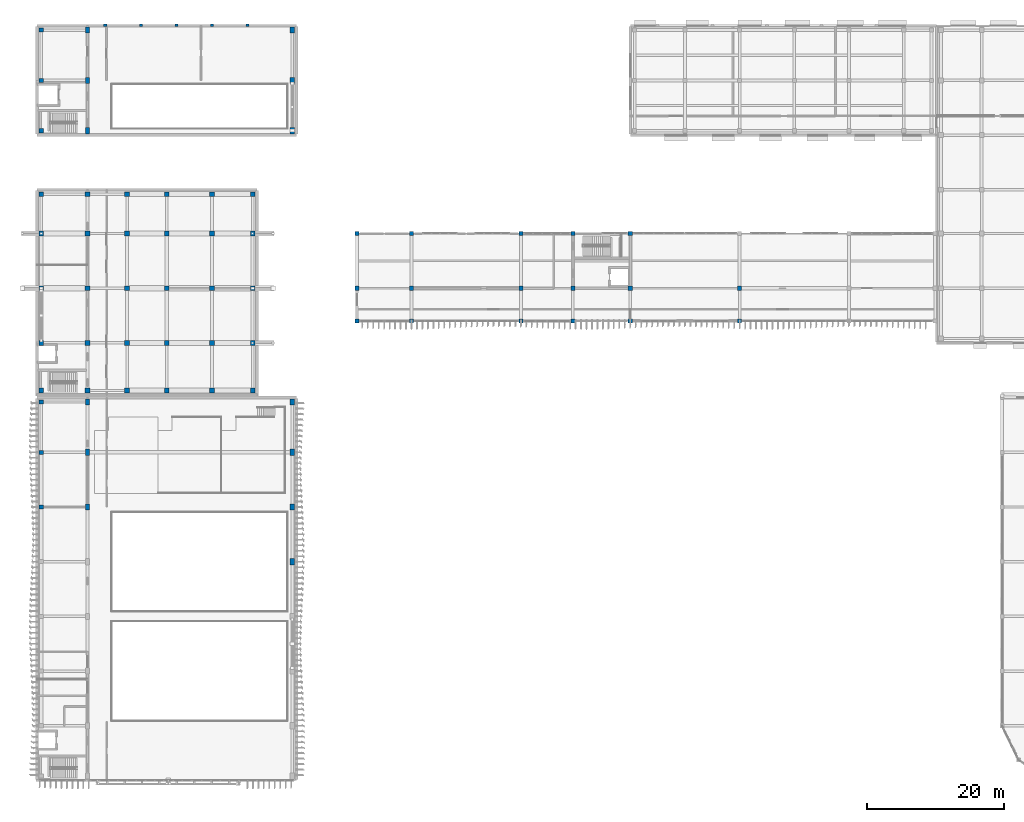
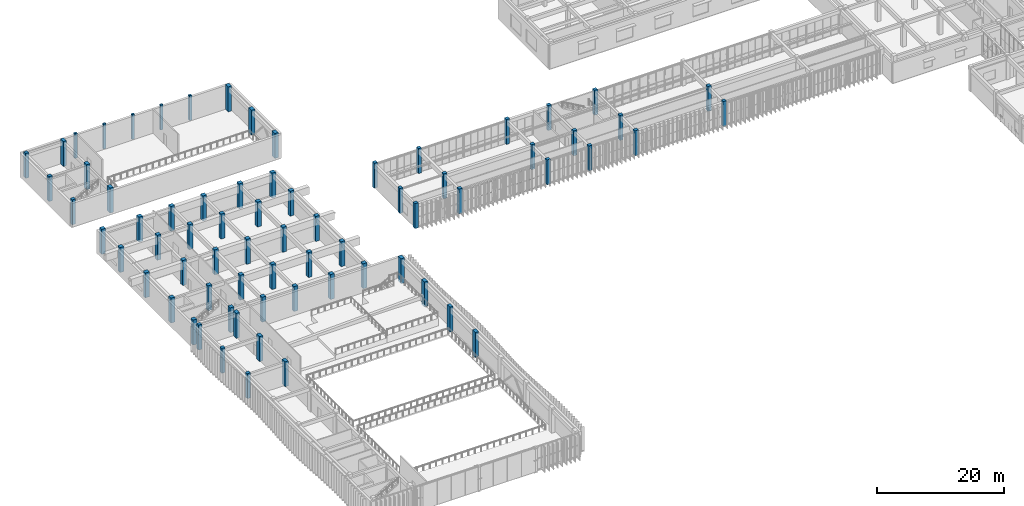
# One storey, part 2 of 64: 71 columns.
"""IFC4 building model written with IfcOpenShell, lengths in metres."""

from ifc_helpers import new_model, si_unit, direction, frame, origin, origin_2d, place, context, subcontext, project, spatial, rectangle, extrude, material, material_profile, profile_set, type_object, element, save


model = new_model("IFC4")

# Units and contexts
model_context = context("Model", 3, precision=1e-05, world=origin(), true_north=direction((0.0, 1.0)))
body_context = subcontext(model_context, "Body", "Model", "MODEL_VIEW")
ifc_project = project(units=[si_unit("LENGTHUNIT", "METRE"), si_unit("AREAUNIT", "SQUARE_METRE"), si_unit("VOLUMEUNIT", "CUBIC_METRE"), si_unit("PLANEANGLEUNIT", "RADIAN"), si_unit("MASSUNIT", "GRAM", prefix="KILO")], contexts=[model_context])

# Site, building, storey
site_placement = place(None, origin())
site = spatial("IfcSite", under=ifc_project, at=site_placement, CompositionType="ELEMENT")
building_placement = place(site_placement, origin())
building = spatial("IfcBuilding", under=site, at=building_placement, Name="Cinchona Park Media Centre", CompositionType="ELEMENT")
storey_placement = place(building_placement, frame((0.0, 0.0, 5.39990234375)))
storey = spatial("IfcBuildingStorey", under=building, at=storey_placement, Name="L01", CompositionType="ELEMENT", Elevation=5.39990234375)

# Columns
ifc_material_1 = material(Name="Concrete C40/50", Category="concrete")
ifc_material_profile_1 = material_profile(ifc_material_1, rectangle(XDim=0.699951171875, YDim=0.699951171875, at=origin_2d()), Name="RC 700X700")
ifc_profile_set_1 = profile_set([ifc_material_profile_1], Name="Concrete C40/50")
column_type_1 = type_object("IfcColumnType", Name="COL-C02-RC700X700", PredefinedType="COLUMN", material=ifc_profile_set_1)
for number, where, z_axis, x_axis, name in (
    (1, (8.639892578125, 64.639892578125, 0.0), (0.0, 0.0, 1.0), (1.0, 0.0, 0.0), "Column C02 L01"),
    (2, (8.639892578125, 71.60009765625, 0.0), (0.0, 0.0, 1.0), (1.0, 0.0, 0.0), "Column C02 L01"),
    (3, (8.639892578125, 79.60009765625, 0.0), (0.0, 0.0, 1.0), (1.0, 0.0, 0.0), "Column C02 L01"),
    (4, (8.639892578125, 87.60009765625, 0.0), (0.0, 0.0, 1.0), (1.0, 0.0, 0.0), "Column C02 L01"),
    (5, (8.639892578125, 93.360107421875, 0.0), (0.0, 0.0, 1.0), (1.0, 0.0, 0.0), "Column C02 L01"),
    (6, (15.39990234375, 64.639892578125, 0.0), (0.0, 0.0, 1.0), (1.0, 0.0, 0.0), "Column C02 L01"),
    (7, (15.39990234375, 71.60009765625, 0.0), (0.0, 0.0, 1.0), (1.0, 0.0, 0.0), "Column C02 L01"),
    (8, (15.39990234375, 79.60009765625, 0.0), (0.0, 0.0, 1.0), (1.0, 0.0, 0.0), "Column C02 L01"),
    (9, (15.39990234375, 87.60009765625, 0.0), (0.0, 0.0, 1.0), (1.0, 0.0, 0.0), "Column C02 L01"),
    (10, (15.39990234375, 93.360107421875, 0.0), (0.0, 0.0, 1.0), (1.0, 0.0, 0.0), "Column C02 L01"),
    (11, (21.199951171875, 64.639892578125, 0.0), (0.0, 0.0, 1.0), (1.0, 0.0, 0.0), "Column C02 L01"),
    (12, (21.199951171875, 71.60009765625, 0.0), (0.0, 0.0, 1.0), (1.0, 0.0, 0.0), "Column C02 L01"),
    (13, (21.199951171875, 79.60009765625, 0.0), (0.0, 0.0, 1.0), (1.0, 0.0, 0.0), "Column C02 L01"),
    (14, (21.199951171875, 87.60009765625, 0.0), (0.0, 0.0, 1.0), (1.0, 0.0, 0.0), "Column C02 L01"),
    (15, (21.199951171875, 93.360107421875, 0.0), (0.0, 0.0, 1.0), (1.0, 0.0, 0.0), "Column C02 L01"),
    (16, (27.0, 64.639892578125, 0.0), (0.0, 0.0, 1.0), (1.0, 0.0, 0.0), "Column C02 L01"),
    (17, (27.0, 71.60009765625, 0.0), (0.0, 0.0, 1.0), (1.0, 0.0, 0.0), "Column C02 L01"),
    (18, (27.0, 79.60009765625, 0.0), (0.0, 0.0, 1.0), (1.0, 0.0, 0.0), "Column C02 L01"),
    (19, (27.0, 87.60009765625, 0.0), (0.0, 0.0, 1.0), (1.0, 0.0, 0.0), "Column C02 L01"),
    (20, (27.0, 93.360107421875, 0.0), (0.0, 0.0, 1.0), (1.0, 0.0, 0.0), "Column C02 L01"),
    (21, (33.60009765625, 64.639892578125, 0.0), (0.0, 0.0, 1.0), (1.0, 0.0, 0.0), "Column C02 L01"),
    (22, (33.60009765625, 71.60009765625, 0.0), (0.0, 0.0, 1.0), (1.0, 0.0, 0.0), "Column C02 L01"),
    (23, (33.60009765625, 79.60009765625, 0.0), (0.0, 0.0, 1.0), (1.0, 0.0, 0.0), "Column C02 L01"),
    (24, (33.60009765625, 87.60009765625, 0.0), (0.0, 0.0, 1.0), (1.0, 0.0, 0.0), "Column C02 L01"),
    (25, (33.60009765625, 93.360107421875, 0.0), (0.0, 0.0, 1.0), (1.0, 0.0, 0.0), "Column C02 L01"),
    (26, (39.56005859375, 64.639892578125, 0.0), (0.0, 0.0, 1.0), (1.0, 0.0, 0.0), "Column C02 L01"),
    (27, (39.56005859375, 71.60009765625, 0.0), (0.0, 0.0, 1.0), (1.0, 0.0, 0.0), "Column C02 L01"),
    (28, (39.56005859375, 79.60009765625, 0.0), (0.0, 0.0, 1.0), (1.0, 0.0, 0.0), "Column C02 L01"),
    (29, (39.56005859375, 87.60009765625, 0.0), (0.0, 0.0, 1.0), (1.0, 0.0, 0.0), "Column C02 L01"),
    (30, (39.56005859375, 93.360107421875, 0.0), (0.0, 0.0, 1.0), (1.0, 0.0, 0.0), "Column C02 L01"),
):
    element("IfcColumn", number, at=place(storey_placement, frame(where, z_axis=z_axis, x_axis=x_axis)), inside=storey, type_object=column_type_1, Name=name, PredefinedType="COLUMN", context=body_context, shape_type="SweptSolid", body=[
        extrude(rectangle(XDim=0.699951171875, YDim=0.699951171875, at=origin_2d()), origin(), (0.0, 0.0, 1.0), 4.800048828125),
    ])
ifc_material_2 = material(Name="Concrete C40/50", Category="concrete")
ifc_material_profile_2 = material_profile(ifc_material_2, rectangle(XDim=0.60009765625, YDim=0.60009765625, at=origin_2d()), Name="RC 600X600")
ifc_profile_set_2 = profile_set([ifc_material_profile_2], Name="Concrete C40/50")
column_type_2 = type_object("IfcColumnType", Name="COL-C03-RC600X600", PredefinedType="COLUMN", material=ifc_profile_set_2)
for number, where, z_axis, x_axis, name in (
    (31, (8.639892578125, 47.60009765625, 0.0), (0.0, 0.0, 1.0), (1.0, 0.0, 0.0), "Column C03 L01"),
    (32, (8.639892578125, 55.60009765625, 0.0), (0.0, 0.0, 1.0), (1.0, 0.0, 0.0), "Column C03 L01"),
    (33, (8.639892578125, 62.9599609375, 0.0), (0.0, 0.0, 1.0), (1.0, 0.0, 0.0), "Column C03 L01"),
    (34, (8.639892578125, 102.639892578125, 0.0), (0.0, 0.0, 1.0), (1.0, 0.0, 0.0), "Column C03 L01"),
    (35, (8.639892578125, 110.0, 0.0), (0.0, 0.0, 1.0), (1.0, 0.0, 0.0), "Column C03 L01"),
    (36, (8.639892578125, 117.360107421875, 0.0), (0.0, 0.0, 1.0), (1.0, 0.0, 0.0), "Column C03 L01"),
    (37, (54.800048828125, 74.800048828125, 0.0), (0.0, 0.0, 1.0), (1.0, 0.0, 0.0), "Column C03 L01"),
    (38, (54.800048828125, 79.60009765625, 0.0), (0.0, 0.0, 1.0), (1.0, 0.0, 0.0), "Column C03 L01"),
    (39, (54.800048828125, 87.60009765625, 0.0), (0.0, 0.0, 1.0), (1.0, 0.0, 0.0), "Column C03 L01"),
    (40, (62.800048828125, 74.800048828125, 0.0), (0.0, 0.0, 1.0), (1.0, 0.0, 0.0), "Column C03 L01"),
    (41, (62.800048828125, 79.60009765625, 0.0), (0.0, 0.0, 1.0), (1.0, 0.0, 0.0), "Column C03 L01"),
    (42, (62.800048828125, 87.60009765625, 0.0), (0.0, 0.0, 1.0), (1.0, 0.0, 0.0), "Column C03 L01"),
    (43, (78.800048828125, 74.800048828125, 0.0), (0.0, 0.0, 1.0), (1.0, 0.0, 0.0), "Column C03 L01"),
    (44, (78.800048828125, 79.60009765625, 0.0), (0.0, 0.0, 1.0), (1.0, 0.0, 0.0), "Column C03 L01"),
    (45, (78.800048828125, 87.60009765625, 0.0), (0.0, 0.0, 1.0), (1.0, 0.0, 0.0), "Column C03 L01"),
    (46, (86.39990234375, 74.800048828125, 0.0), (0.0, 0.0, 1.0), (1.0, 0.0, 0.0), "Column C03 L01"),
    (47, (86.39990234375, 79.60009765625, 0.0), (0.0, 0.0, 1.0), (1.0, 0.0, 0.0), "Column C03 L01"),
    (48, (86.39990234375, 87.60009765625, 0.0), (0.0, 0.0, 1.0), (1.0, 0.0, 0.0), "Column C03 L01"),
    (49, (94.800048828125, 74.800048828125, 0.0), (0.0, 0.0, 1.0), (1.0, 0.0, 0.0), "Column C03 L01"),
    (50, (94.800048828125, 79.60009765625, 0.0), (0.0, 0.0, 1.0), (1.0, 0.0, 0.0), "Column C03 L01"),
    (51, (94.800048828125, 87.60009765625, 0.0), (0.0, 0.0, 1.0), (1.0, 0.0, 0.0), "Column C03 L01"),
    (52, (110.800048828125, 74.800048828125, 0.0), (0.0, 0.0, 1.0), (1.0, 0.0, 0.0), "Column C03 L01"),
    (53, (110.800048828125, 79.60009765625, 0.0), (0.0, 0.0, 1.0), (1.0, 0.0, 0.0), "Column C03 L01"),
):
    element("IfcColumn", number, at=place(storey_placement, frame(where, z_axis=z_axis, x_axis=x_axis)), inside=storey, type_object=column_type_2, Name=name, PredefinedType="COLUMN", context=body_context, shape_type="SweptSolid", body=[
        extrude(rectangle(XDim=0.60009765625, YDim=0.60009765625, at=origin_2d()), origin(), (0.0, 0.0, 1.0), 4.800048828125),
    ])
ifc_material_3 = material(Name="Concrete C40/50", Category="concrete")
ifc_material_profile_3 = material_profile(ifc_material_3, rectangle(XDim=0.60009765625, YDim=0.89990234375, at=origin_2d()), Name="RC 600X900")
ifc_profile_set_3 = profile_set([ifc_material_profile_3], Name="Concrete C40/50")
column_type_3 = type_object("IfcColumnType", Name="COL-C05-RC600X900", PredefinedType="COLUMN", material=ifc_profile_set_3)
for number, where, z_axis, x_axis, name in (
    (54, (15.39990234375, 47.60009765625, 0.0), (0.0, 0.0, 1.0), (1.0, 0.0, 0.0), "Column C05 L01"),
    (55, (15.39990234375, 55.60009765625, 0.0), (0.0, 0.0, 1.0), (1.0, 0.0, 0.0), "Column C05 L01"),
    (56, (15.39990234375, 62.9599609375, 0.0), (0.0, 0.0, 1.0), (1.0, 0.0, 0.0), "Column C05 L01"),
    (57, (45.360107421875, 39.60009765625, 0.0), (0.0, 0.0, 1.0), (1.0, 0.0, 0.0), "Column C05 L01"),
    (58, (45.360107421875, 47.60009765625, 0.0), (0.0, 0.0, 1.0), (1.0, 0.0, 0.0), "Column C05 L01"),
    (59, (45.360107421875, 55.60009765625, 0.0), (0.0, 0.0, 1.0), (1.0, 0.0, 0.0), "Column C05 L01"),
    (60, (45.360107421875, 62.9599609375, 0.0), (0.0, 0.0, 1.0), (1.0, 0.0, 0.0), "Column C05 L01"),
    (61, (15.39990234375, 102.639892578125, 0.0), (0.0, 0.0, 1.0), (1.0, 0.0, 0.0), "Column C05 L01"),
    (62, (15.39990234375, 110.0, 0.0), (0.0, 0.0, 1.0), (1.0, 0.0, 0.0), "Column C05 L01"),
    (63, (15.39990234375, 117.360107421875, 0.0), (0.0, 0.0, 1.0), (1.0, 0.0, 0.0), "Column C05 L01"),
    (64, (45.360107421875, 102.639892578125, 0.0), (0.0, 0.0, 1.0), (1.0, 0.0, 0.0), "Column C05 L01"),
    (65, (45.360107421875, 110.0, 0.0), (0.0, 0.0, 1.0), (1.0, 0.0, 0.0), "Column C05 L01"),
    (66, (45.360107421875, 117.360107421875, 0.0), (0.0, 0.0, 1.0), (1.0, 0.0, 0.0), "Column C05 L01"),
):
    element("IfcColumn", number, at=place(storey_placement, frame(where, z_axis=z_axis, x_axis=x_axis)), inside=storey, type_object=column_type_3, Name=name, PredefinedType="COLUMN", context=body_context, shape_type="SweptSolid", body=[
        extrude(rectangle(XDim=0.60009765625, YDim=0.89990234375, at=origin_2d()), origin(), (0.0, 0.0, 1.0), 4.800048828125),
    ])
ifc_material_4 = material(Name="Concrete C40/50", Category="concrete")
ifc_material_profile_4 = material_profile(ifc_material_4, rectangle(XDim=0.35009765625, YDim=0.449951171875, at=origin_2d()), Name="RC 350X450")
ifc_profile_set_4 = profile_set([ifc_material_profile_4], Name="Concrete C40/50")
column_type_4 = type_object("IfcColumnType", Name="COL-CP01-RC350X450", PredefinedType="PILASTER", material=ifc_profile_set_4)
for number, where, z_axis, x_axis, name in (
    (67, (18.0, 118.080078125, 0.0), (0.0, 0.0, 1.0), (0.0, 1.0, 0.0), "Pilaster CP01 L01"),
    (68, (23.199951171875, 118.080078125, 0.0), (0.0, 0.0, 1.0), (0.0, 1.0, 0.0), "Pilaster CP01 L01"),
    (69, (28.39990234375, 118.080078125, 0.0), (0.0, 0.0, 1.0), (0.0, 1.0, 0.0), "Pilaster CP01 L01"),
    (70, (33.60009765625, 118.080078125, 0.0), (0.0, 0.0, 1.0), (0.0, 1.0, 0.0), "Pilaster CP01 L01"),
    (71, (38.800048828125, 118.080078125, 0.0), (0.0, 0.0, 1.0), (0.0, 1.0, 0.0), "Pilaster CP01 L01"),
):
    element("IfcColumn", number, at=place(storey_placement, frame(where, z_axis=z_axis, x_axis=x_axis)), inside=storey, type_object=column_type_4, Name=name, PredefinedType="PILASTER", context=body_context, shape_type="SweptSolid", body=[
        extrude(rectangle(XDim=0.35009765625, YDim=0.449951171875, at=origin_2d()), origin(), (0.0, 0.0, 1.0), 4.800048828125),
    ])

save(model, "model.ifc")
